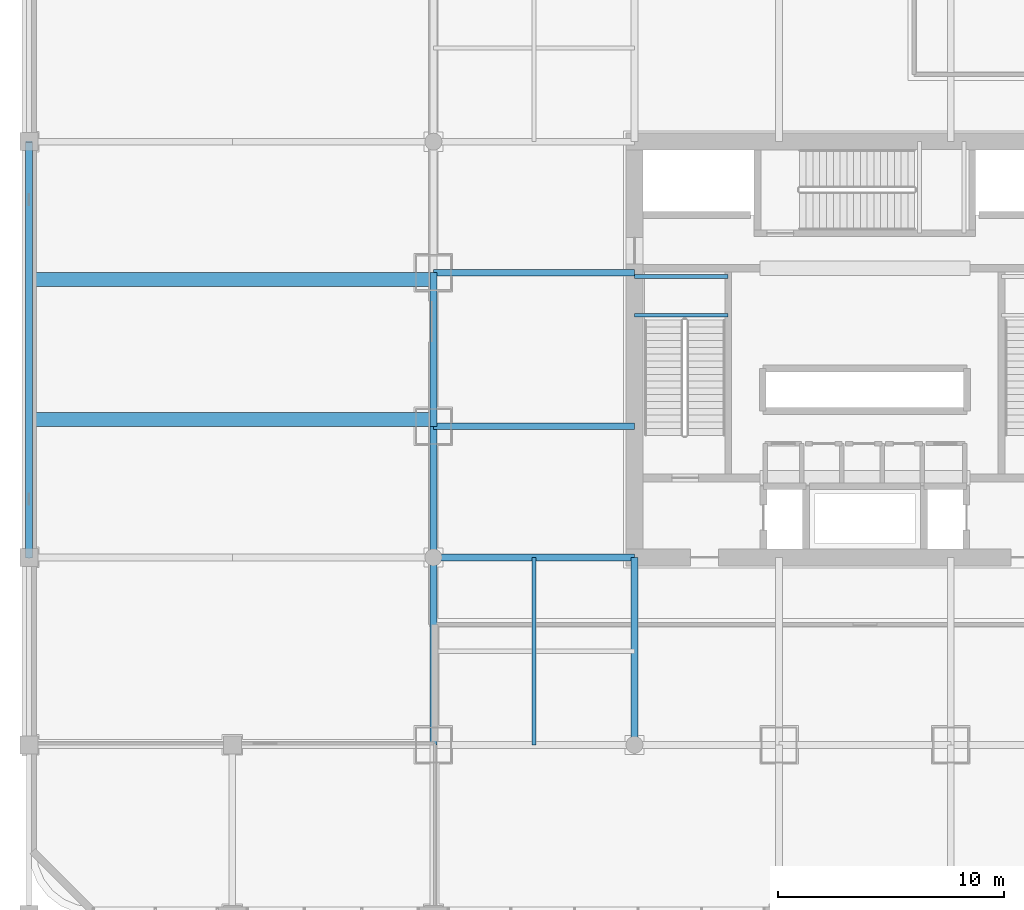
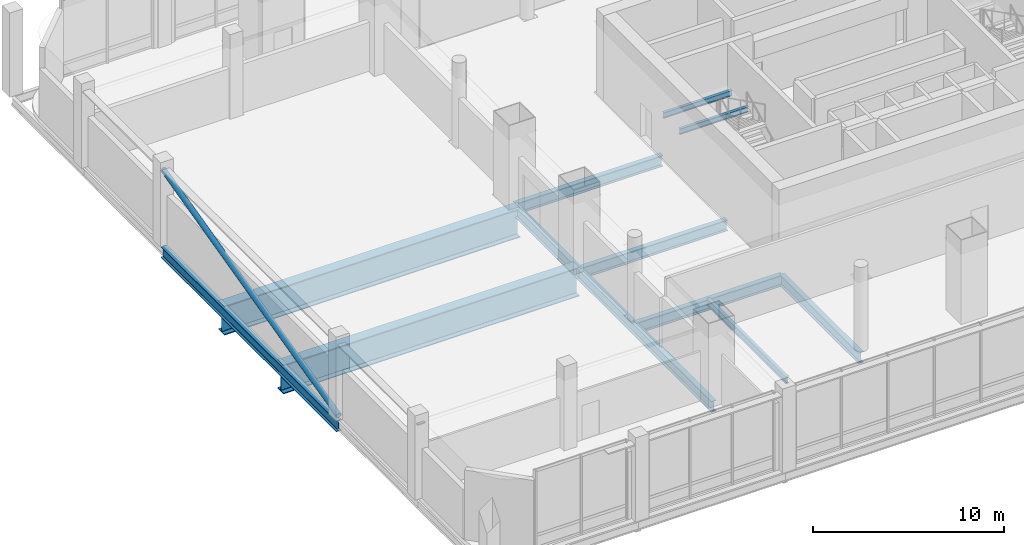
# One storey, part 5 of 35: 12 beams, 1 member.
"""IFC4 building model written with IfcOpenShell, lengths in metres."""

from ifc_helpers import new_model, si_unit, direction, frame, origin, origin_2d, place, context, subcontext, project, spatial, hollow_circle, i_section, extrude, material, material_profile, profile_set, type_object, element, save


model = new_model("IFC4")

# Units and contexts
model_context = context("Model", 3, precision=1e-05, world=origin(), true_north=direction((0.0, 1.0)))
body_context = subcontext(model_context, "Body", "Model", "MODEL_VIEW")
ifc_project = project(units=[si_unit("LENGTHUNIT", "METRE"), si_unit("AREAUNIT", "SQUARE_METRE"), si_unit("VOLUMEUNIT", "CUBIC_METRE"), si_unit("PLANEANGLEUNIT", "RADIAN"), si_unit("MASSUNIT", "GRAM", prefix="KILO")], contexts=[model_context])

# Site, building, storey
site_placement = place(None, origin())
site = spatial("IfcSite", under=ifc_project, at=site_placement, CompositionType="ELEMENT")
building_placement = place(site_placement, origin())
building = spatial("IfcBuilding", under=site, at=building_placement, Name="Punatoya Terracotta Tower", CompositionType="ELEMENT")
storey_placement = place(building_placement, frame((0.0, 0.0, 16.800048828125)))
storey = spatial("IfcBuildingStorey", under=building, at=storey_placement, Name="L03", CompositionType="ELEMENT", Elevation=16.800048828125)

# Beams
ifc_material_1 = material(Name="Steel S355", Category="steel")
ifc_material_profile_1 = material_profile(ifc_material_1, i_section(OverallWidth=0.300048828125, OverallDepth=0.699951171875, WebThickness=0.01708984375, FlangeThickness=0.031982421875, FilletRadius=0.01806640625, at=origin_2d()))
ifc_profile_set_1 = profile_set([ifc_material_profile_1], Name="Steel S355")
beam_type_1 = type_object("IfcBeamType", Name="BM-PRI-700", PredefinedType="BEAM", material=ifc_profile_set_1)
beam_1_placement = place(storey_placement, frame((-19.10009765625, -17.5, -0.630126953125), z_axis=(0.0, 1.0, 0.0), x_axis=(-1.0, 0.0, 0.0)))
element("IfcBeam", 1, at=beam_1_placement, inside=storey, type_object=beam_type_1, Name="BM-L03-RG-W1", PredefinedType="BEAM", context=body_context, shape_type="SweptSolid", body=[
    extrude(i_section(OverallWidth=0.300048828125, OverallDepth=0.699951171875, WebThickness=0.01708984375, FlangeThickness=0.031982421875, FilletRadius=0.01806640625, at=origin_2d()), origin(), (0.0, 0.0, 1.0), 14.10009765625),
])
beam_2_placement = place(storey_placement, frame((-19.10009765625, -3.39990234375, -0.630126953125), z_axis=(0.0, 1.0, 0.0), x_axis=(-1.0, 0.0, 0.0)))
element("IfcBeam", 2, at=beam_2_placement, inside=storey, type_object=beam_type_1, Name="BM-L03-RG-W2", PredefinedType="BEAM", context=body_context, shape_type="SweptSolid", body=[
    extrude(i_section(OverallWidth=0.300048828125, OverallDepth=0.699951171875, WebThickness=0.01708984375, FlangeThickness=0.031982421875, FilletRadius=0.01806640625, at=origin_2d()), origin(), (0.0, 0.0, 1.0), 6.7998046875),
])
for number, where, z_axis, x_axis, name in (
    (3, (-19.10009765625, -9.199951171875, -0.630126953125), (1.0, 0.0, 0.0), (0.0, 1.0, 0.0), "BM-L03-PR-WS"),
    (4, (-19.10009765625, -3.39990234375, -0.630126953125), (1.0, 0.0, 0.0), (0.0, 1.0, 0.0), "BM-L03-PR-WD"),
    (5, (-19.10009765625, 3.39990234375, -0.630126953125), (1.0, 0.0, 0.0), (0.0, 1.0, 0.0), "BM-L03-PR-WE"),
):
    element("IfcBeam", number, at=place(storey_placement, frame(where, z_axis=z_axis, x_axis=x_axis)), inside=storey, type_object=beam_type_1, Name=name, PredefinedType="BEAM", context=body_context, shape_type="SweptSolid", body=[
        extrude(i_section(OverallWidth=0.300048828125, OverallDepth=0.699951171875, WebThickness=0.01708984375, FlangeThickness=0.031982421875, FilletRadius=0.01806640625, at=origin_2d()), origin(), (0.0, 0.0, 1.0), 8.900146484375),
    ])
beam_3_placement = place(storey_placement, frame((-10.199951171875, -17.5, -0.630126953125), z_axis=(0.0, 1.0, 0.0), x_axis=(-1.0, 0.0, 0.0)))
element("IfcBeam", 6, at=beam_3_placement, inside=storey, type_object=beam_type_1, Name="BM-L03-PR-S1", PredefinedType="BEAM", context=body_context, shape_type="SweptSolid", body=[
    extrude(i_section(OverallWidth=0.300048828125, OverallDepth=0.699951171875, WebThickness=0.01708984375, FlangeThickness=0.031982421875, FilletRadius=0.01806640625, at=origin_2d()), origin(), (0.0, 0.0, 1.0), 8.300048828125),
])
beam_4_placement = place(storey_placement, frame((-37.0, -9.199951171875, -0.630126953125), z_axis=(0.0, 1.0, 0.0), x_axis=(-1.0, 0.0, 0.0)))
element("IfcBeam", 7, at=beam_4_placement, inside=storey, type_object=beam_type_1, Name="BM-L03-X37W--9", PredefinedType="BEAM", context=body_context, shape_type="SweptSolid", body=[
    extrude(i_section(OverallWidth=0.300048828125, OverallDepth=0.699951171875, WebThickness=0.01708984375, FlangeThickness=0.031982421875, FilletRadius=0.01806640625, at=origin_2d()), origin(), (0.0, 0.0, 1.0), 18.39990234375),
])
ifc_material_profile_2 = material_profile(ifc_material_1, i_section(OverallWidth=0.169921875, OverallDepth=0.360107421875, WebThickness=0.008056640625, FlangeThickness=0.0126953125, FilletRadius=0.01806640625, at=origin_2d()))
ifc_profile_set_2 = profile_set([ifc_material_profile_2], Name="Steel S355")
beam_type_2 = type_object("IfcBeamType", Name="BM-SEC-360", PredefinedType="JOIST", material=ifc_profile_set_2)
for number, where, z_axis, x_axis, name in (
    (8, (-10.199951171875, 1.52001953125, 2.320068359375), (1.0, 0.0, 0.0), (0.0, 1.0, 0.0), "BM-L03-ST-1-LD1A"),
    (9, (-10.199951171875, 3.22998046875, 2.320068359375), (1.0, 0.0, 0.0), (0.0, 1.0, 0.0), "BM-L03-ST-1-LD1B"),
):
    element("IfcBeam", number, at=place(storey_placement, frame(where, z_axis=z_axis, x_axis=x_axis)), inside=storey, type_object=beam_type_2, Name=name, PredefinedType="JOIST", context=body_context, shape_type="SweptSolid", body=[
        extrude(i_section(OverallWidth=0.169921875, OverallDepth=0.360107421875, WebThickness=0.008056640625, FlangeThickness=0.0126953125, FilletRadius=0.01806640625, at=origin_2d()), origin(), (0.0, 0.0, 1.0), 4.14990234375),
    ])
ifc_material_profile_3 = material_profile(ifc_material_1, i_section(OverallWidth=0.18994140625, OverallDepth=0.449951171875, WebThickness=0.009521484375, FlangeThickness=0.0146484375, FilletRadius=0.01806640625, at=origin_2d()))
ifc_profile_set_3 = profile_set([ifc_material_profile_3], Name="Steel S355")
beam_type_3 = type_object("IfcBeamType", Name="BM-SEC-450", PredefinedType="JOIST", material=ifc_profile_set_3)
beam_5_placement = place(storey_placement, frame((-14.64990234375, -17.5, -0.505126953125), z_axis=(0.0, 1.0, 0.0), x_axis=(-1.0, 0.0, 0.0)))
element("IfcBeam", 10, at=beam_5_placement, inside=storey, type_object=beam_type_3, Name="BM-L03-SJW-1", PredefinedType="JOIST", context=body_context, shape_type="SweptSolid", body=[
    extrude(i_section(OverallWidth=0.18994140625, OverallDepth=0.449951171875, WebThickness=0.009521484375, FlangeThickness=0.0146484375, FilletRadius=0.01806640625, at=origin_2d()), origin(), (0.0, 0.0, 1.0), 8.300048828125),
])
ifc_material_2 = material(Name="Steel S460", Category="steel")
ifc_material_profile_4 = material_profile(ifc_material_2, i_section(OverallWidth=0.6201171875, OverallDepth=1.85009765625, WebThickness=0.0400390625, FlangeThickness=0.06005859375, FilletRadius=0.01806640625, at=origin_2d()))
ifc_profile_set_4 = profile_set([ifc_material_profile_4], Name="Steel S460")
beam_type_4 = type_object("IfcBeamType", Name="BM-TG-AUD", PredefinedType="BEAM", material=ifc_profile_set_4)
for number, where, z_axis, x_axis, name in (
    (11, (-37.0, -3.10009765625, -1.205078125), (1.0, 0.0, 0.0), (0.0, 1.0, 0.0), "BM-L03-AUDJ--31"),
    (12, (-37.0, 3.10009765625, -1.205078125), (1.0, 0.0, 0.0), (0.0, 1.0, 0.0), "BM-L03-AUDJ-31"),
):
    element("IfcBeam", number, at=place(storey_placement, frame(where, z_axis=z_axis, x_axis=x_axis)), inside=storey, type_object=beam_type_4, Name=name, PredefinedType="BEAM", context=body_context, shape_type="SweptSolid", body=[
        extrude(i_section(OverallWidth=0.6201171875, OverallDepth=1.85009765625, WebThickness=0.0400390625, FlangeThickness=0.06005859375, FilletRadius=0.01806640625, at=origin_2d()), origin(), (0.0, 0.0, 1.0), 17.89990234375),
    ])

# Member
ifc_material_profile_5 = material_profile(ifc_material_1, hollow_circle(Radius=0.162109375, WallThickness=0.01611328125, at=origin_2d()))
ifc_profile_set_5 = profile_set([ifc_material_profile_5], Name="Steel S355")
member_type = type_object("IfcMemberType", Name="MEM-POD-CHS", PredefinedType="BRACE", material=ifc_profile_set_5)
member_placement = place(storey_placement, frame((-37.0, -9.199951171875, 0.02001953125), z_axis=(0.0, 0.970391925555, 0.241535734038), x_axis=(-1.0, 0.0, 0.0)))
element("IfcMember", 13, at=member_placement, inside=storey, type_object=member_type, Name="L03 Podium Lateral Brace PBR-1", PredefinedType="BRACE", context=body_context, shape_type="SweptSolid", body=[
    extrude(hollow_circle(Radius=0.162109375, WallThickness=0.01611328125, at=origin_2d()), origin(), (0.0, 0.0, 1.0), 18.96142578125),
])

save(model, "model.ifc")
